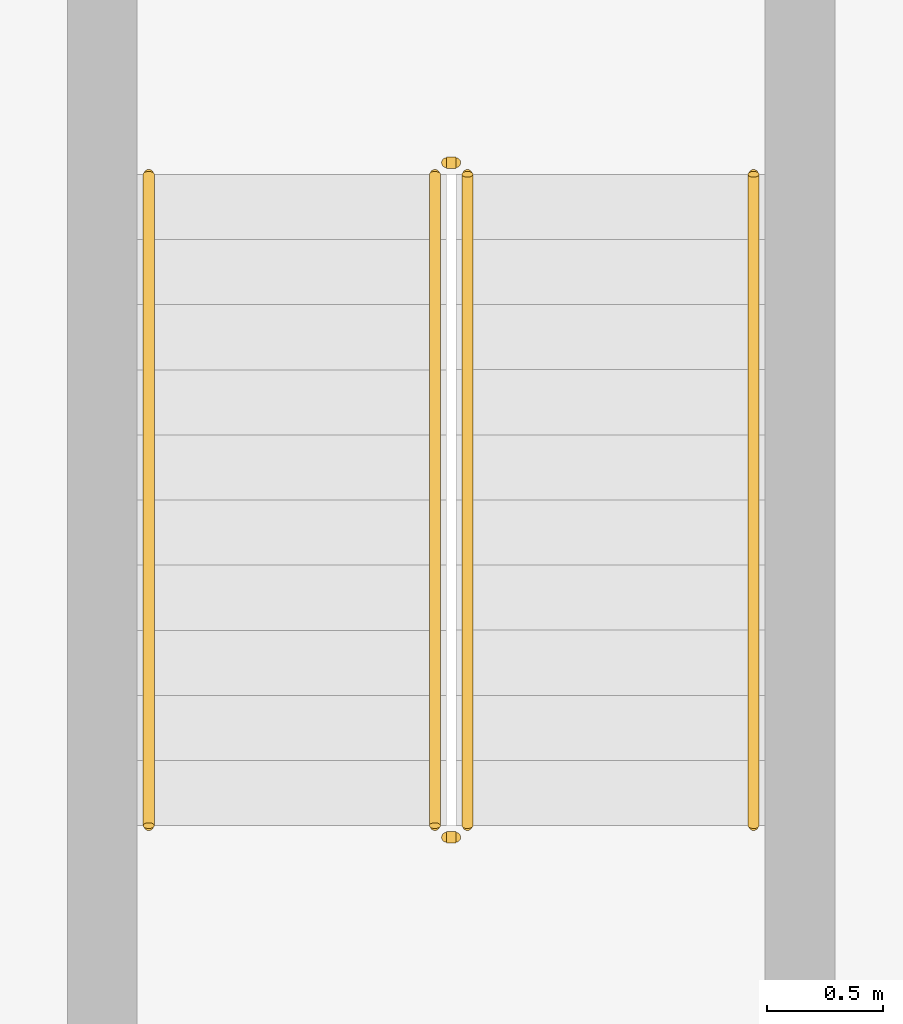
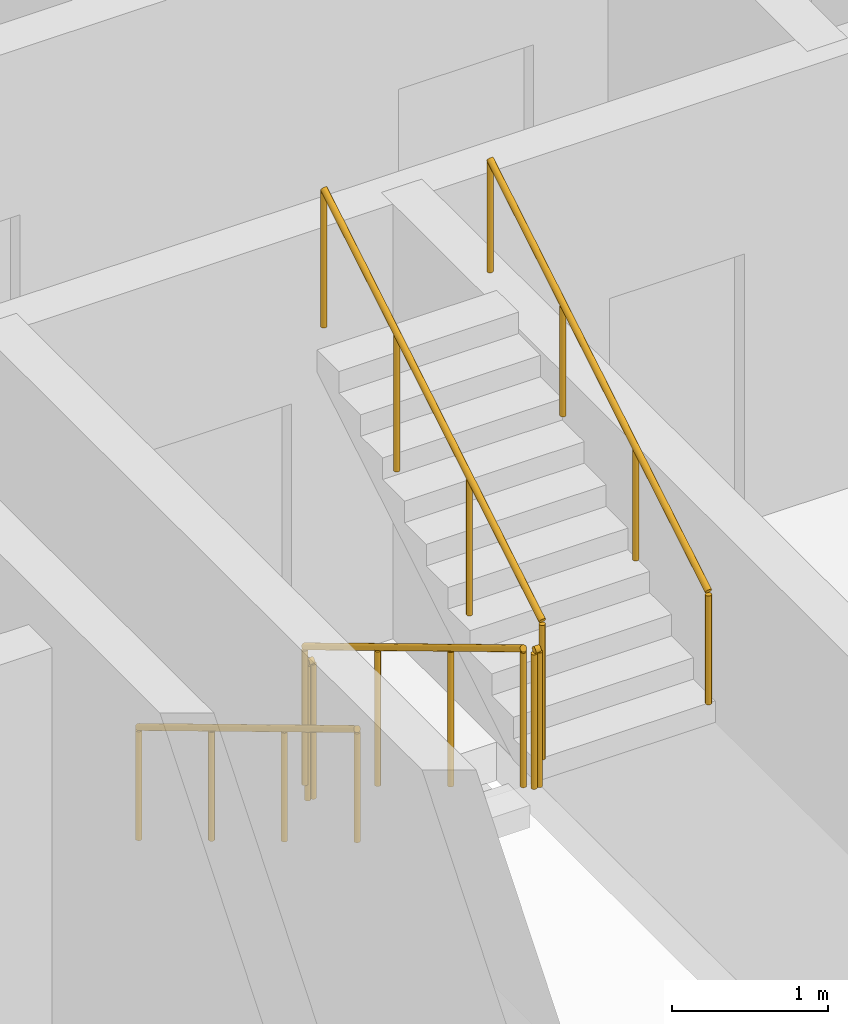
# One storey, part 17 of 17: 6 railings.
"""IFC4 building model written with IfcOpenShell, lengths in metres."""

from ifc_helpers import new_model, si_unit, direction, frame, origin, origin_2d, place, context, subcontext, project, spatial, circle, extrude, material, type_object, element, save


model = new_model("IFC4")

# Units and contexts
model_context = context("Model", 3, precision=1e-05, world=origin(), true_north=direction((0.0, 1.0)))
body_context = subcontext(model_context, "Body", "Model", "MODEL_VIEW")
ifc_project = project(units=[si_unit("LENGTHUNIT", "METRE"), si_unit("AREAUNIT", "SQUARE_METRE"), si_unit("VOLUMEUNIT", "CUBIC_METRE"), si_unit("PLANEANGLEUNIT", "RADIAN"), si_unit("MASSUNIT", "GRAM", prefix="KILO")], contexts=[model_context])

# Site, building, storey
site_placement = place(None, origin())
site = spatial("IfcSite", under=ifc_project, at=site_placement, CompositionType="ELEMENT")
building_placement = place(site_placement, origin())
building = spatial("IfcBuilding", under=site, at=building_placement, Name="Ogive Portal Towers", CompositionType="ELEMENT")
storey_placement = place(building_placement, frame((0.0, 0.0, 221.699951171875)))
storey = spatial("IfcBuildingStorey", under=building, at=storey_placement, Name="L55", CompositionType="ELEMENT", Elevation=221.699951171875)

# Railings
ifc_material_1 = material(Name="Stainless steel balustrade", Category="steel")
railing_type_1 = type_object("IfcRailingType", Name="INT-GUARD", PredefinedType="GUARDRAIL", material=ifc_material_1)
railing_1_placement = place(storey_placement, frame((88.280029296875, 29.169921875, 0.168212890625)))
element("IfcRailing", 1, at=railing_1_placement, inside=storey, type_object=railing_type_1, Name="L55 ST-A4 stair guard 1", PredefinedType="GUARDRAIL", context=body_context, shape_type="SweptSolid", body=[
    extrude(circle(Radius=0.02392578125, at=origin_2d()), frame((0.0, 0.0, 1.076171875), z_axis=(0.0, -0.857222391501, 0.514946377315), x_axis=(1.0, 0.0, 0.0)), (0.0, 0.0, 1.0), 3.26611328125),
    extrude(circle(Radius=0.02099609375, at=origin_2d()), origin(), (0.0, 0.0, 1.0), 1.052001953125),
    extrude(circle(Radius=0.02099609375, at=origin_2d()), frame((0.0, -0.933349609375, 0.560546875)), (0.0, 0.0, 1.0), 1.052001953125),
    extrude(circle(Radius=0.02099609375, at=origin_2d()), frame((0.0, -1.866455078125, 1.121337890625)), (0.0, 0.0, 1.0), 1.052001953125),
    extrude(circle(Radius=0.02099609375, at=origin_2d()), frame((0.0, -2.7998046875, 1.681884765625)), (0.0, 0.0, 1.0), 1.052001953125),
])
railing_2_placement = place(storey_placement, frame((88.330078125, 26.320068359375, 1.85009765625)))
element("IfcRailing", 2, at=railing_2_placement, inside=storey, type_object=railing_type_1, Name="L55 ST-A4 stair guard 2", PredefinedType="GUARDRAIL", context=body_context, shape_type="SweptSolid", body=[
    extrude(circle(Radius=0.02392578125, at=origin_2d()), frame((0.0, 0.0, 1.076171875), z_axis=(1.0, 0.0, 0.0), x_axis=(0.0, 1.0, 0.0)), (0.0, 0.0, 1.0), 0.0400390625),
    extrude(circle(Radius=0.02099609375, at=origin_2d()), origin(), (0.0, 0.0, 1.0), 1.052001953125),
    extrude(circle(Radius=0.02099609375, at=origin_2d()), frame((0.0400390625, 0.0, 0.0)), (0.0, 0.0, 1.0), 1.052001953125),
])
railing_3_placement = place(storey_placement, frame((88.419921875, 26.3701171875, 2.018310546875)))
element("IfcRailing", 3, at=railing_3_placement, inside=storey, type_object=railing_type_1, Name="L55 ST-A4 stair guard 3", PredefinedType="GUARDRAIL", context=body_context, shape_type="SweptSolid", body=[
    extrude(circle(Radius=0.02392578125, at=origin_2d()), frame((0.0, 0.0, 1.076171875), z_axis=(0.0, 0.857255387014, 0.514891446264), x_axis=(-1.0, 0.0, 0.0)), (0.0, 0.0, 1.0), 3.26611328125),
    extrude(circle(Radius=0.02099609375, at=origin_2d()), origin(), (0.0, 0.0, 1.0), 1.052001953125),
    extrude(circle(Radius=0.02099609375, at=origin_2d()), frame((0.0, 0.933349609375, 0.560546875)), (0.0, 0.0, 1.0), 1.052001953125),
    extrude(circle(Radius=0.02099609375, at=origin_2d()), frame((0.0, 1.866455078125, 1.12109375)), (0.0, 0.0, 1.0), 1.052001953125),
    extrude(circle(Radius=0.02099609375, at=origin_2d()), frame((0.0, 2.7998046875, 1.681640625)), (0.0, 0.0, 1.0), 1.052001953125),
])
railing_4_placement = place(storey_placement, frame((88.330078125, 29.219970703125, 0.0)))
element("IfcRailing", 4, at=railing_4_placement, inside=storey, type_object=railing_type_1, Name="L55 ST-A4 stair guard 4", PredefinedType="GUARDRAIL", context=body_context, shape_type="SweptSolid", body=[
    extrude(circle(Radius=0.02392578125, at=origin_2d()), frame((0.0, 0.0, 1.076171875), z_axis=(1.0, 0.0, 0.0), x_axis=(0.0, 1.0, 0.0)), (0.0, 0.0, 1.0), 0.0400390625),
    extrude(circle(Radius=0.02099609375, at=origin_2d()), origin(), (0.0, 0.0, 1.0), 1.052001953125),
    extrude(circle(Radius=0.02099609375, at=origin_2d()), frame((0.0400390625, 0.0, 0.0)), (0.0, 0.0, 1.0), 1.052001953125),
])
ifc_material_2 = material(Name="Stainless steel handrail", Category="steel")
railing_type_2 = type_object("IfcRailingType", Name="INT-HANDRAIL", PredefinedType="HANDRAIL", material=ifc_material_2)
railing_5_placement = place(storey_placement, frame((87.050048828125, 29.169921875, 0.168212890625)))
element("IfcRailing", 5, at=railing_5_placement, inside=storey, type_object=railing_type_2, Name="L55 ST-A4 stair handrail 1", PredefinedType="HANDRAIL", context=body_context, shape_type="SweptSolid", body=[
    extrude(circle(Radius=0.02392578125, at=origin_2d()), frame((0.0, 0.0, 0.8759765625), z_axis=(0.0, -0.857222391501, 0.514946377315), x_axis=(1.0, 0.0, 0.0)), (0.0, 0.0, 1.0), 3.26611328125),
    extrude(circle(Radius=0.02099609375, at=origin_2d()), origin(), (0.0, 0.0, 1.0), 0.851806640625),
    extrude(circle(Radius=0.02099609375, at=origin_2d()), frame((0.0, -0.933349609375, 0.560546875)), (0.0, 0.0, 1.0), 0.851806640625),
    extrude(circle(Radius=0.02099609375, at=origin_2d()), frame((0.0, -1.866455078125, 1.121337890625)), (0.0, 0.0, 1.0), 0.851806640625),
    extrude(circle(Radius=0.02099609375, at=origin_2d()), frame((0.0, -2.7998046875, 1.681884765625)), (0.0, 0.0, 1.0), 0.851806640625),
])
railing_6_placement = place(storey_placement, frame((89.64990234375, 26.3701171875, 2.018310546875)))
element("IfcRailing", 6, at=railing_6_placement, inside=storey, type_object=railing_type_2, Name="L55 ST-A4 stair handrail 2", PredefinedType="HANDRAIL", context=body_context, shape_type="SweptSolid", body=[
    extrude(circle(Radius=0.02392578125, at=origin_2d()), frame((0.0, 0.0, 0.8759765625), z_axis=(0.0, 0.857255387014, 0.514891446264), x_axis=(-1.0, 0.0, 0.0)), (0.0, 0.0, 1.0), 3.26611328125),
    extrude(circle(Radius=0.02099609375, at=origin_2d()), origin(), (0.0, 0.0, 1.0), 0.851806640625),
    extrude(circle(Radius=0.02099609375, at=origin_2d()), frame((0.0, 0.933349609375, 0.560546875)), (0.0, 0.0, 1.0), 0.851806640625),
    extrude(circle(Radius=0.02099609375, at=origin_2d()), frame((0.0, 1.866455078125, 1.12109375)), (0.0, 0.0, 1.0), 0.851806640625),
    extrude(circle(Radius=0.02099609375, at=origin_2d()), frame((0.0, 2.7998046875, 1.681640625)), (0.0, 0.0, 1.0), 0.851806640625),
])

save(model, "model.ifc")
